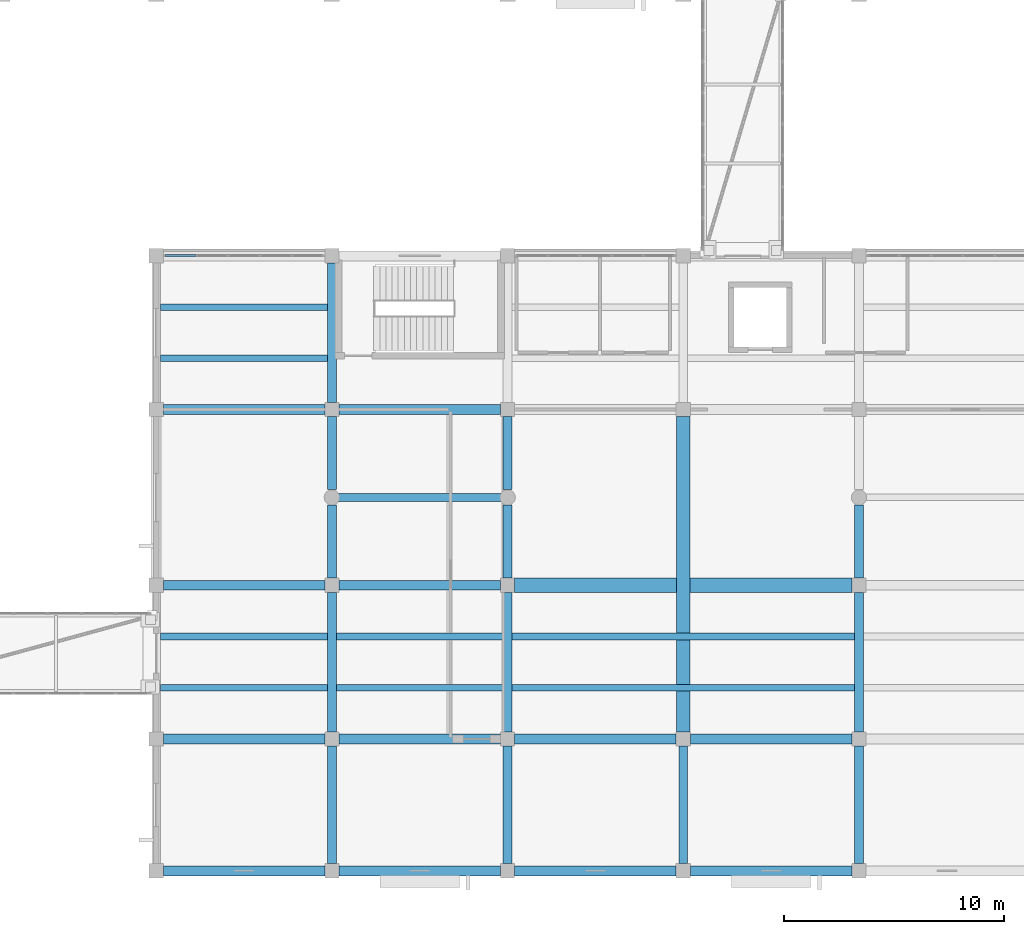
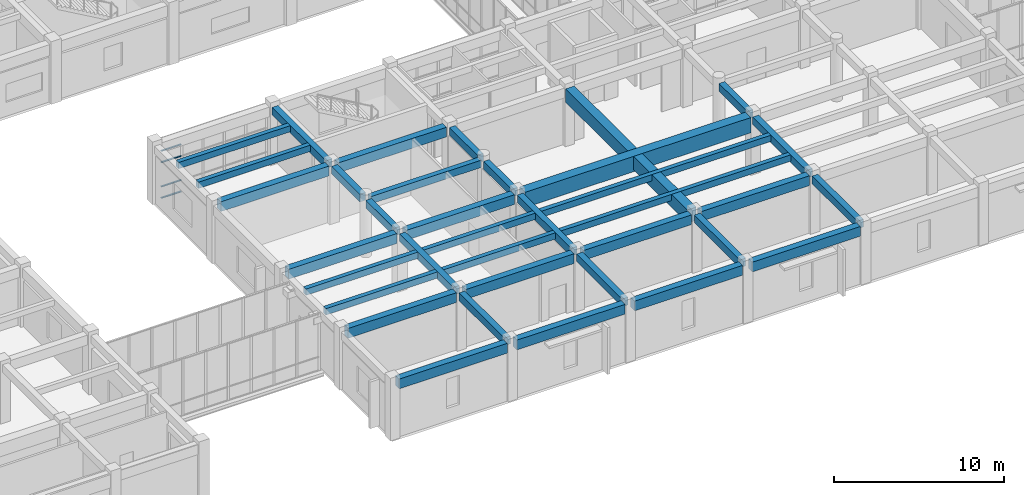
# One storey, part 16 of 70: 36 beams, 4 members, 1 element without a shape of its own.
"""IFC4 building model written with IfcOpenShell, lengths in metres."""

import ifcopenshell
import ifcopenshell.guid

model = None  # the IFC model being written
_history = None  # IfcOwnerHistory: only IFC2X3 demands one
_inside = {}  # id of a spatial element -> (the spatial element, [elements in it])
_under = {}  # id of a project, library or spatial element -> (it, [spatial elements below it])
_declared = {}  # id of a project -> (the project, [libraries it declares])
_typed = {}  # id of a type object -> (the type object, [elements of that type])
_made_of = {}  # id of a material, layer set ... -> (it, [elements and type objects made of it])


def new_model(schema):
    """Start an empty IFC model of exactly this schema.

    Asked for "IFC4X3", IfcOpenShell would pick the latest addendum, in which some entities
    have other attributes; the version numbers below select the first issue.
    IFC2X3 requires an IfcOwnerHistory on every rooted entity: one is made here for all.
    """
    global model, _history
    if schema == "IFC4X3":
        model = ifcopenshell.file(schema_version=(4, 3, 0, 0))
    else:
        model = ifcopenshell.file(schema=schema)
    _inside.clear()
    _under.clear()
    _declared.clear()
    _typed.clear()
    _made_of.clear()
    _history = None
    if model.schema == "IFC2X3":
        org = make("IfcOrganization", Name="unknown")
        user = make(
            "IfcPersonAndOrganization",
            ThePerson=make("IfcPerson", FamilyName="unknown"),
            TheOrganization=org,
        )
        app = make(
            "IfcApplication",
            ApplicationDeveloper=org,
            Version="unknown",
            ApplicationFullName="unknown",
            ApplicationIdentifier="unknown",
        )
        _history = make(
            "IfcOwnerHistory",
            OwningUser=user,
            OwningApplication=app,
            ChangeAction="ADDED",
            CreationDate=0,
        )
    return model


def make(cls, **values):
    """One entity of the class cls with the attributes given. An attribute that is None is left unset."""
    return model.create_entity(
        cls, **{name: value for name, value in values.items() if value is not None}
    )


def rooted(cls, **values):
    """An entity with a GlobalId (a new one), such as an element, a storey or a relation."""
    return make(cls, GlobalId=ifcopenshell.guid.new(), OwnerHistory=_history, **values)


def si_unit(unit_type, name, prefix=None):
    """IfcSIUnit, for example si_unit("LENGTHUNIT", "METRE", prefix="MILLI")."""
    return make("IfcSIUnit", UnitType=unit_type, Prefix=prefix, Name=name)


def assignment(units):
    """IfcUnitAssignment: the units of a project."""
    return None if units is None else make("IfcUnitAssignment", Units=units)


def point(xyz):
    """IfcCartesianPoint."""
    return None if xyz is None else make("IfcCartesianPoint", Coordinates=xyz)


def direction(xyz):
    """IfcDirection."""
    return None if xyz is None else make("IfcDirection", DirectionRatios=xyz)


def frame(location, z_axis=None, x_axis=None):
    """IfcAxis2Placement3D, a coordinate frame: its origin and axes. An axis left out is left unset."""
    return make(
        "IfcAxis2Placement3D",
        Location=point(location),
        Axis=direction(z_axis),
        RefDirection=direction(x_axis),
    )


def frame_2d(location, x_axis=None):
    """IfcAxis2Placement2D, a coordinate frame in the plane: its origin and x axis."""
    return make(
        "IfcAxis2Placement2D", Location=point(location), RefDirection=direction(x_axis)
    )


def origin():
    """The frame at (0, 0, 0) with its axes left unset."""
    return frame((0.0, 0.0, 0.0))


def origin_2d():
    """The frame at (0, 0) in the plane with its x axis left unset."""
    return frame_2d((0.0, 0.0))


def place(relative_to, where):
    """IfcLocalPlacement: puts the frame where relative to a parent placement (None: the world)."""
    return make(
        "IfcLocalPlacement", PlacementRelTo=relative_to, RelativePlacement=where
    )


def context(
    kind, dimensions, precision=None, world=None, true_north=None, identifier=None
):
    """IfcGeometricRepresentationContext, for example the 3D "Model" context."""
    return make(
        "IfcGeometricRepresentationContext",
        ContextIdentifier=identifier,
        ContextType=kind,
        CoordinateSpaceDimension=dimensions,
        Precision=precision,
        WorldCoordinateSystem=world,
        TrueNorth=true_north,
    )


def subcontext(parent, identifier, kind, view, scale=None):
    """IfcGeometricRepresentationSubContext, for example "Body" below "Model"."""
    return make(
        "IfcGeometricRepresentationSubContext",
        ContextIdentifier=identifier,
        ContextType=kind,
        ParentContext=parent,
        TargetScale=scale,
        TargetView=view,
    )


def project(units=None, contexts=None):
    """IfcProject with its units and contexts."""
    return rooted(
        "IfcProject",
        Name="project",
        RepresentationContexts=contexts,
        UnitsInContext=assignment(units),
    )


def spatial(cls, under=None, at=None, **own):
    """A site, building, storey or space (cls), placed at a placement, below another one or the project."""
    s = rooted(cls, ObjectPlacement=at, **own)
    if under is not None:
        _under.setdefault(under.id(), (under, []))[1].append(s)
    return s


def profile(cls, at=None, kind="AREA", **sizes):
    """A parametric profile (cls). Its sizes go by their IFC names, for example OverallWidth=200.0."""
    return make(cls, ProfileType=kind, Position=at, **sizes)


def rectangle(**sizes):
    """IfcRectangleProfileDef."""
    return profile("IfcRectangleProfileDef", **sizes)


def extrude(swept, where, along, depth):
    """IfcExtrudedAreaSolid: the profile swept, set in the frame where, extruded along a direction by depth."""
    return make(
        "IfcExtrudedAreaSolid",
        SweptArea=swept,
        Position=where,
        ExtrudedDirection=direction(along),
        Depth=depth,
    )


def shape(context_of_items, identifier, shape_type, items):
    """IfcShapeRepresentation: the items that make up one representation, for example the "Body"."""
    return make(
        "IfcShapeRepresentation",
        ContextOfItems=context_of_items,
        RepresentationIdentifier=identifier,
        RepresentationType=shape_type,
        Items=items,
    )


def material(Name=None, Category=None):
    """IfcMaterial."""
    return make("IfcMaterial", Name=Name, Category=Category)


def layer(
    of_material, thickness, ventilated=None, Name=None, Category=None, Priority=None
):
    """IfcMaterialLayer: one layer of a wall or slab, of a material (None: an air gap)."""
    return make(
        "IfcMaterialLayer",
        Material=of_material,
        LayerThickness=thickness,
        IsVentilated=ventilated,
        Name=Name,
        Category=Category,
        Priority=Priority,
    )


def layer_set(layers, Name=None):
    """IfcMaterialLayerSet."""
    return make("IfcMaterialLayerSet", MaterialLayers=layers, LayerSetName=Name)


def material_profile(
    of_material, cross_section, Name=None, Category=None, Priority=None
):
    """IfcMaterialProfile: a cross section and its material."""
    return make(
        "IfcMaterialProfile",
        Name=Name,
        Material=of_material,
        Profile=cross_section,
        Priority=Priority,
        Category=Category,
    )


def profile_set(profiles, Name=None, composite=None):
    """IfcMaterialProfileSet."""
    return make(
        "IfcMaterialProfileSet",
        Name=Name,
        MaterialProfiles=profiles,
        CompositeProfile=composite,
    )


def made_of(thing, what):
    """Note that an element or type object is made of a material, layer set ...; save() writes the relation."""
    if what is not None:
        _made_of.setdefault(what.id(), (what, []))[1].append(thing)
    return thing


def type_object(cls, material=None, **own):
    """A type object (cls), such as IfcWallType, which elements share."""
    return made_of(rooted(cls, **own), material)


def element(
    cls,
    number,
    at=None,
    inside=None,
    cuts=None,
    type_object=None,
    material=None,
    context=None,
    identifier="Body",
    shape_type=None,
    held_by="IfcProductDefinitionShape",
    body=None,
    shapes=None,
    **own,
):
    """One element of the class cls, such as IfcWall. Its Tag is "e" and its number.

    at: its placement. inside: the storey or other place that contains it. cuts: it is an
    opening in that element (IfcRelVoidsElement). A single representation is given by context,
    identifier, shape_type and body (its items); several are given by shapes. held_by: the class
    of the entity that holds the representations. save() writes the other relations.
    """
    e = rooted(cls, Tag="e%d" % number, ObjectPlacement=at, **own)
    if body is not None:
        shapes = [shape(context, identifier, shape_type, body)]
    if shapes is not None:
        e.Representation = make(held_by, Representations=shapes)
    if inside is not None:
        _inside.setdefault(inside.id(), (inside, []))[1].append(e)
    if cuts is not None:
        rooted(
            "IfcRelVoidsElement", RelatingBuildingElement=cuts, RelatedOpeningElement=e
        )
    if type_object is not None:
        _typed.setdefault(type_object.id(), (type_object, []))[1].append(e)
    return made_of(e, material)


def aggregate(whole, parts):
    """IfcRelAggregates: a whole, such as a stair, and the parts it consists of."""
    return rooted("IfcRelAggregates", RelatingObject=whole, RelatedObjects=parts)


def save(model, path):
    """Write the relations noted so far, then the file.

    IfcRelAggregates (storeys below a building ...), IfcRelContainedInSpatialStructure (elements
    in a storey), IfcRelDefinesByType, IfcRelAssociatesMaterial and IfcRelDeclares: one each for
    every whole, place, type object, material and project.
    """
    for whole, parts in _under.values():
        aggregate(whole, parts)
    for where, things in _inside.values():
        rooted(
            "IfcRelContainedInSpatialStructure",
            RelatedElements=things,
            RelatingStructure=where,
        )
    for kind, things in _typed.values():
        rooted("IfcRelDefinesByType", RelatedObjects=things, RelatingType=kind)
    for what, things in _made_of.values():
        rooted("IfcRelAssociatesMaterial", RelatedObjects=things, RelatingMaterial=what)
    for by, libraries in _declared.values():
        rooted("IfcRelDeclares", RelatingContext=by, RelatedDefinitions=libraries)
    model.write(path)


model = new_model("IFC4")

# Units and contexts
model_context = context("Model", 3, precision=1e-05, world=origin(), true_north=direction((0.0, 1.0)))
body_context = subcontext(model_context, "Body", "Model", "MODEL_VIEW")
ifc_project = project(units=[si_unit("LENGTHUNIT", "METRE"), si_unit("AREAUNIT", "SQUARE_METRE"), si_unit("VOLUMEUNIT", "CUBIC_METRE"), si_unit("PLANEANGLEUNIT", "RADIAN"), si_unit("MASSUNIT", "GRAM", prefix="KILO")], contexts=[model_context])

# Site, building, storey
site_placement = place(None, origin())
site = spatial("IfcSite", under=ifc_project, at=site_placement, CompositionType="ELEMENT")
building_placement = place(site_placement, origin())
building = spatial("IfcBuilding", under=site, at=building_placement, Name="Naurynzar Civic Courthouse", CompositionType="ELEMENT")
storey_placement = place(building_placement, frame((0.0, 0.0, 5.39990234375)))
storey = spatial("IfcBuildingStorey", under=building, at=storey_placement, Name="L02", CompositionType="ELEMENT", Elevation=5.39990234375)

# Beams
ifc_material_1 = material(Name="Concrete C40/50", Category="concrete")
ifc_material_profile_1 = material_profile(ifc_material_1, rectangle(XDim=0.300048828125, YDim=0.449951171875, at=origin_2d()), Name="RCJ 300x450")
ifc_profile_set_1 = profile_set([ifc_material_profile_1], Name="Concrete C40/50")
beam_type_1 = type_object("IfcBeamType", Name="BM-JST-300x450", PredefinedType="JOIST", material=ifc_profile_set_1)
for number, where, z_axis, x_axis, name in (
    (1, (69.199951171875, 12.333251953125, 3.93505859375), (1.0, 0.0, 0.0), (0.0, 1.0, 0.0), "V3 secondary rib 1400 L02"),
    (2, (69.199951171875, 14.666748046875, 3.93505859375), (1.0, 0.0, 0.0), (0.0, 1.0, 0.0), "V3 secondary rib 1401 L02"),
    (3, (77.199951171875, 12.333251953125, 3.93505859375), (1.0, 0.0, 0.0), (0.0, 1.0, 0.0), "V3 secondary rib 1402 L02"),
    (4, (77.199951171875, 14.666748046875, 3.93505859375), (1.0, 0.0, 0.0), (0.0, 1.0, 0.0), "V3 secondary rib 1403 L02"),
):
    element("IfcBeam", number, at=place(storey_placement, frame(where, z_axis=z_axis, x_axis=x_axis)), inside=storey, type_object=beam_type_1, Name=name, PredefinedType="JOIST", context=body_context, shape_type="SweptSolid", body=[
        extrude(rectangle(XDim=0.300048828125, YDim=0.449951171875, at=origin_2d()), origin(), (0.0, 0.0, 1.0), 7.60009765625),
    ])
for number, where, z_axis, x_axis, name in (
    (5, (85.199951171875, 12.333251953125, 3.93505859375), (1.0, 0.0, 0.0), (0.0, 1.0, 0.0), "V3 secondary rib 1404 L02"),
    (6, (85.199951171875, 14.666748046875, 3.93505859375), (1.0, 0.0, 0.0), (0.0, 1.0, 0.0), "V3 secondary rib 1405 L02"),
):
    element("IfcBeam", number, at=place(storey_placement, frame(where, z_axis=z_axis, x_axis=x_axis)), inside=storey, type_object=beam_type_1, Name=name, PredefinedType="JOIST", context=body_context, shape_type="SweptSolid", body=[
        extrude(rectangle(XDim=0.300048828125, YDim=0.449951171875, at=origin_2d()), origin(), (0.0, 0.0, 1.0), 15.60009765625),
    ])
for number, where, z_axis, x_axis, name in (
    (7, (69.199951171875, 27.333251953125, 3.93505859375), (1.0, 0.0, 0.0), (0.0, 1.0, 0.0), "V3 secondary rib 1410 L02"),
    (8, (69.199951171875, 29.666748046875, 3.93505859375), (1.0, 0.0, 0.0), (0.0, 1.0, 0.0), "V3 secondary rib 1411 L02"),
):
    element("IfcBeam", number, at=place(storey_placement, frame(where, z_axis=z_axis, x_axis=x_axis)), inside=storey, type_object=beam_type_1, Name=name, PredefinedType="JOIST", context=body_context, shape_type="SweptSolid", body=[
        extrude(rectangle(XDim=0.300048828125, YDim=0.449951171875, at=origin_2d()), origin(), (0.0, 0.0, 1.0), 7.60009765625),
    ])
ifc_material_2 = material(Name="Concrete C40/50", Category="concrete")
ifc_material_profile_2 = material_profile(ifc_material_2, rectangle(XDim=0.35009765625, YDim=0.52490234375, at=origin_2d()), Name="RCB 350x525")
ifc_profile_set_2 = profile_set([ifc_material_profile_2], Name="Concrete C40/50")
beam_type_2 = type_object("IfcBeamType", Name="BM-LNT-350x525", PredefinedType="LINTEL", material=ifc_profile_set_2)
beam_1_placement = place(storey_placement, frame((77.25, 21.0, 3.897705078125), z_axis=(1.0, 0.0, 0.0), x_axis=(0.0, 1.0, 0.0)))
element("IfcBeam", 9, at=beam_1_placement, inside=storey, type_object=beam_type_2, Name="Law Library spine lintel beam 5", PredefinedType="LINTEL", context=body_context, shape_type="SweptSolid", body=[
    extrude(rectangle(XDim=0.35009765625, YDim=0.52490234375, at=origin_2d()), origin(), (0.0, 0.0, 1.0), 7.5),
])
ifc_material_3 = material(Name="Concrete C40/50", Category="concrete")
ifc_material_profile_3 = material_profile(ifc_material_3, rectangle(XDim=0.60009765625, YDim=0.949951171875, at=origin_2d()), Name="PTB 600x950")
ifc_profile_set_3 = profile_set([ifc_material_profile_3], Name="Concrete C40/50")
beam_type_3 = type_object("IfcBeamType", Name="BM-PT-600x950", PredefinedType="T_BEAM", material=ifc_profile_set_3)
beam_2_placement = place(storey_placement, frame((93.0, 10.324951171875, 3.68505859375), z_axis=(0.0, 1.0, 0.0), x_axis=(-1.0, 0.0, 0.0)))
element("IfcBeam", 10, at=beam_2_placement, inside=storey, type_object=beam_type_3, Name="V3 girder Y-1384 L02", PredefinedType="T_BEAM", context=body_context, shape_type="SweptSolid", body=[
    extrude(rectangle(XDim=0.60009765625, YDim=0.949951171875, at=origin_2d()), origin(), (0.0, 0.0, 1.0), 14.35009765625),
])
ifc_material_4 = material(Name="Concrete C40/50", Category="concrete")
ifc_material_profile_4 = material_profile(ifc_material_4, rectangle(XDim=0.64990234375, YDim=1.10009765625, at=origin_2d()), Name="PTB 650x1100")
ifc_profile_set_4 = profile_set([ifc_material_profile_4], Name="Concrete C40/50")
beam_type_4 = type_object("IfcBeamType", Name="BM-PT-650x1100", PredefinedType="T_BEAM", material=ifc_profile_set_4)
beam_3_placement = place(storey_placement, frame((85.324951171875, 17.0, 3.610107421875), z_axis=(1.0, 0.0, 0.0), x_axis=(0.0, 1.0, 0.0)))
element("IfcBeam", 11, at=beam_3_placement, inside=storey, type_object=beam_type_4, Name="V3 beam X-1354 L02", PredefinedType="T_BEAM", context=body_context, shape_type="SweptSolid", body=[
    extrude(rectangle(XDim=0.64990234375, YDim=1.10009765625, at=origin_2d()), origin(), (0.0, 0.0, 1.0), 15.35009765625),
])
ifc_material_5 = material(Name="Concrete C40/50", Category="concrete")
ifc_material_profile_5 = material_profile(ifc_material_5, rectangle(XDim=0.39990234375, YDim=0.550048828125, at=origin_2d()), Name="RCB 400x550")
ifc_profile_set_5 = profile_set([ifc_material_profile_5], Name="Concrete C40/50")
beam_type_5 = type_object("IfcBeamType", Name="BM-RC-400x550", PredefinedType="BEAM", material=ifc_profile_set_5)
beam_4_placement = place(storey_placement, frame((77.0, 4.324951171875, 3.885009765625), z_axis=(0.0, 1.0, 0.0), x_axis=(-1.0, 0.0, 0.0)))
element("IfcBeam", 12, at=beam_4_placement, inside=storey, type_object=beam_type_5, Name="V3 girder Y-1373 L02", PredefinedType="BEAM", context=body_context, shape_type="SweptSolid", body=[
    extrude(rectangle(XDim=0.39990234375, YDim=0.550048828125, at=origin_2d()), origin(), (0.0, 0.0, 1.0), 5.35009765625),
])
beam_5_placement = place(storey_placement, frame((77.0, 10.324951171875, 3.885009765625), z_axis=(0.0, 1.0, 0.0), x_axis=(-1.0, 0.0, 0.0)))
element("IfcBeam", 13, at=beam_5_placement, inside=storey, type_object=beam_type_5, Name="V3 girder Y-1374 L02", PredefinedType="BEAM", context=body_context, shape_type="SweptSolid", body=[
    extrude(rectangle(XDim=0.39990234375, YDim=0.550048828125, at=origin_2d()), origin(), (0.0, 0.0, 1.0), 6.35009765625),
])
for number, where, z_axis, x_axis, name in (
    (14, (77.0, 17.324951171875, 3.885009765625), (0.0, 1.0, 0.0), (-1.0, 0.0, 0.0), "V3 girder Y-1375 L02"),
    (15, (77.0, 21.35009765625, 3.885009765625), (0.0, 1.0, 0.0), (-1.0, 0.0, 0.0), "V3 girder Y-1376 L02"),
):
    element("IfcBeam", number, at=place(storey_placement, frame(where, z_axis=z_axis, x_axis=x_axis)), inside=storey, type_object=beam_type_5, Name=name, PredefinedType="BEAM", context=body_context, shape_type="SweptSolid", body=[
        extrude(rectangle(XDim=0.39990234375, YDim=0.550048828125, at=origin_2d()), origin(), (0.0, 0.0, 1.0), 3.324951171875),
    ])
beam_6_placement = place(storey_placement, frame((77.0, 25.324951171875, 3.885009765625), z_axis=(0.0, 1.0, 0.0), x_axis=(-1.0, 0.0, 0.0)))
element("IfcBeam", 16, at=beam_6_placement, inside=storey, type_object=beam_type_5, Name="V3 girder Y-1377 L02", PredefinedType="BEAM", context=body_context, shape_type="SweptSolid", body=[
    extrude(rectangle(XDim=0.39990234375, YDim=0.550048828125, at=origin_2d()), origin(), (0.0, 0.0, 1.0), 6.35009765625),
])
beam_7_placement = place(storey_placement, frame((85.0, 4.324951171875, 3.885009765625), z_axis=(0.0, 1.0, 0.0), x_axis=(-1.0, 0.0, 0.0)))
element("IfcBeam", 17, at=beam_7_placement, inside=storey, type_object=beam_type_5, Name="V3 girder Y-1378 L02", PredefinedType="BEAM", context=body_context, shape_type="SweptSolid", body=[
    extrude(rectangle(XDim=0.39990234375, YDim=0.550048828125, at=origin_2d()), origin(), (0.0, 0.0, 1.0), 5.35009765625),
])
beam_8_placement = place(storey_placement, frame((85.0, 10.324951171875, 3.885009765625), z_axis=(0.0, 1.0, 0.0), x_axis=(-1.0, 0.0, 0.0)))
element("IfcBeam", 18, at=beam_8_placement, inside=storey, type_object=beam_type_5, Name="V3 girder Y-1379 L02", PredefinedType="BEAM", context=body_context, shape_type="SweptSolid", body=[
    extrude(rectangle(XDim=0.39990234375, YDim=0.550048828125, at=origin_2d()), origin(), (0.0, 0.0, 1.0), 6.35009765625),
])
for number, where, z_axis, x_axis, name in (
    (19, (85.0, 17.324951171875, 3.885009765625), (0.0, 1.0, 0.0), (-1.0, 0.0, 0.0), "V3 girder Y-1380 L02"),
    (20, (85.0, 21.35009765625, 3.885009765625), (0.0, 1.0, 0.0), (-1.0, 0.0, 0.0), "V3 girder Y-1381 L02"),
):
    element("IfcBeam", number, at=place(storey_placement, frame(where, z_axis=z_axis, x_axis=x_axis)), inside=storey, type_object=beam_type_5, Name=name, PredefinedType="BEAM", context=body_context, shape_type="SweptSolid", body=[
        extrude(rectangle(XDim=0.39990234375, YDim=0.550048828125, at=origin_2d()), origin(), (0.0, 0.0, 1.0), 3.324951171875),
    ])
for number, where, z_axis, x_axis, name in (
    (21, (93.0, 4.324951171875, 3.885009765625), (0.0, 1.0, 0.0), (-1.0, 0.0, 0.0), "V3 girder Y-1383 L02"),
    (22, (101.0, 4.324951171875, 3.885009765625), (0.0, 1.0, 0.0), (-1.0, 0.0, 0.0), "V3 girder Y-1386 L02"),
):
    element("IfcBeam", number, at=place(storey_placement, frame(where, z_axis=z_axis, x_axis=x_axis)), inside=storey, type_object=beam_type_5, Name=name, PredefinedType="BEAM", context=body_context, shape_type="SweptSolid", body=[
        extrude(rectangle(XDim=0.39990234375, YDim=0.550048828125, at=origin_2d()), origin(), (0.0, 0.0, 1.0), 5.35009765625),
    ])
beam_9_placement = place(storey_placement, frame((101.0, 10.324951171875, 3.885009765625), z_axis=(0.0, 1.0, 0.0), x_axis=(-1.0, 0.0, 0.0)))
element("IfcBeam", 23, at=beam_9_placement, inside=storey, type_object=beam_type_5, Name="V3 girder Y-1387 L02", PredefinedType="BEAM", context=body_context, shape_type="SweptSolid", body=[
    extrude(rectangle(XDim=0.39990234375, YDim=0.550048828125, at=origin_2d()), origin(), (0.0, 0.0, 1.0), 6.35009765625),
])
beam_10_placement = place(storey_placement, frame((101.0, 17.324951171875, 3.885009765625), z_axis=(0.0, 1.0, 0.0), x_axis=(-1.0, 0.0, 0.0)))
element("IfcBeam", 24, at=beam_10_placement, inside=storey, type_object=beam_type_5, Name="V3 girder Y-1388 L02", PredefinedType="BEAM", context=body_context, shape_type="SweptSolid", body=[
    extrude(rectangle(XDim=0.39990234375, YDim=0.550048828125, at=origin_2d()), origin(), (0.0, 0.0, 1.0), 3.324951171875),
])
ifc_material_6 = material(Name="Concrete C40/50", Category="concrete")
ifc_material_profile_6 = material_profile(ifc_material_6, rectangle(XDim=0.449951171875, YDim=0.699951171875, at=origin_2d()), Name="RCB 450x700")
ifc_profile_set_6 = profile_set([ifc_material_profile_6], Name="Concrete C40/50")
beam_type_6 = type_object("IfcBeamType", Name="BM-RC-450x700", PredefinedType="BEAM", material=ifc_profile_set_6)
for number, where, z_axis, x_axis, name in (
    (25, (69.324951171875, 4.0, 3.81005859375), (1.0, 0.0, 0.0), (0.0, 1.0, 0.0), "V3 beam X-1340 L02"),
    (26, (77.324951171875, 4.0, 3.81005859375), (1.0, 0.0, 0.0), (0.0, 1.0, 0.0), "V3 beam X-1341 L02"),
    (27, (85.324951171875, 4.0, 3.81005859375), (1.0, 0.0, 0.0), (0.0, 1.0, 0.0), "V3 beam X-1342 L02"),
    (28, (93.324951171875, 4.0, 3.81005859375), (1.0, 0.0, 0.0), (0.0, 1.0, 0.0), "V3 beam X-1343 L02"),
    (29, (69.324951171875, 10.0, 3.81005859375), (1.0, 0.0, 0.0), (0.0, 1.0, 0.0), "V3 beam X-1346 L02"),
    (30, (77.324951171875, 10.0, 3.81005859375), (1.0, 0.0, 0.0), (0.0, 1.0, 0.0), "V3 beam X-1347 L02"),
    (31, (85.324951171875, 10.0, 3.81005859375), (1.0, 0.0, 0.0), (0.0, 1.0, 0.0), "V3 beam X-1348 L02"),
    (32, (93.324951171875, 10.0, 3.81005859375), (1.0, 0.0, 0.0), (0.0, 1.0, 0.0), "V3 beam X-1349 L02"),
    (33, (69.324951171875, 17.0, 3.81005859375), (1.0, 0.0, 0.0), (0.0, 1.0, 0.0), "V3 beam X-1352 L02"),
    (34, (77.324951171875, 17.0, 3.81005859375), (1.0, 0.0, 0.0), (0.0, 1.0, 0.0), "V3 beam X-1353 L02"),
    (35, (69.324951171875, 25.0, 3.81005859375), (1.0, 0.0, 0.0), (0.0, 1.0, 0.0), "V3 beam X-1357 L02"),
    (36, (77.324951171875, 25.0, 3.81005859375), (1.0, 0.0, 0.0), (0.0, 1.0, 0.0), "V3 beam X-1358 L02"),
):
    element("IfcBeam", number, at=place(storey_placement, frame(where, z_axis=z_axis, x_axis=x_axis)), inside=storey, type_object=beam_type_6, Name=name, PredefinedType="BEAM", context=body_context, shape_type="SweptSolid", body=[
        extrude(rectangle(XDim=0.449951171875, YDim=0.699951171875, at=origin_2d()), origin(), (0.0, 0.0, 1.0), 7.35009765625),
    ])

# Curtain wall, members
ifc_material_7 = material(Name="Aluminium 6063-T6", Category="aluminium")
ifc_layer = layer(ifc_material_7, 0.179931640625)
ifc_layer_set = layer_set([ifc_layer], Name="CW-UNIT-1500")
curtain_wall_type = type_object("IfcCurtainWallType", Name="CW-UNIT-1500", PredefinedType="NOTDEFINED", material=ifc_layer_set)
curtain_wall_placement = place(storey_placement, origin())
curtain_wall = element("IfcCurtainWall", 37, at=curtain_wall_placement, inside=storey, type_object=curtain_wall_type, Name="V3 unitised curtain wall 64 L02", PredefinedType="NOTDEFINED")
ifc_material_8 = material(Name="Aluminium 6063-T6", Category="aluminium")
ifc_material_profile_7 = material_profile(ifc_material_8, rectangle(XDim=0.110107421875, YDim=0.06005859375, at=origin_2d()), Name="ALU TRANSOM 60x110")
ifc_profile_set_7 = profile_set([ifc_material_profile_7], Name="Aluminium 6063-T6")
member_type = type_object("IfcMemberType", Name="CWT-60x110", PredefinedType="USERDEFINED", material=ifc_profile_set_7)
member_1_placement = place(storey_placement, frame((69.43505859375, 32.0, 0.030029296875), z_axis=(1.0, 0.0, 0.0), x_axis=(0.0, 1.0, 0.0)))
member_1 = element("IfcMember", 38, at=member_1_placement, type_object=member_type, Name="CW-01 transom 1.1", ObjectType="TRANSOM", PredefinedType="USERDEFINED", context=body_context, shape_type="SweptSolid", body=[
    extrude(rectangle(XDim=0.110107421875, YDim=0.06005859375, at=origin_2d()), origin(), (0.0, 0.0, 1.0), 1.35986328125),
])
member_2_placement = place(storey_placement, frame((69.43505859375, 32.0, 0.85009765625), z_axis=(1.0, 0.0, 0.0), x_axis=(0.0, 1.0, 0.0)))
member_2 = element("IfcMember", 39, at=member_2_placement, type_object=member_type, Name="CW-01 transom 1.2", ObjectType="TRANSOM", PredefinedType="USERDEFINED", context=body_context, shape_type="SweptSolid", body=[
    extrude(rectangle(XDim=0.110107421875, YDim=0.06005859375, at=origin_2d()), origin(), (0.0, 0.0, 1.0), 1.35986328125),
])
member_3_placement = place(storey_placement, frame((69.43505859375, 32.0, 2.590087890625), z_axis=(1.0, 0.0, 0.0), x_axis=(0.0, 1.0, 0.0)))
member_3 = element("IfcMember", 40, at=member_3_placement, type_object=member_type, Name="CW-01 transom 1.3", ObjectType="TRANSOM", PredefinedType="USERDEFINED", context=body_context, shape_type="SweptSolid", body=[
    extrude(rectangle(XDim=0.110107421875, YDim=0.06005859375, at=origin_2d()), origin(), (0.0, 0.0, 1.0), 1.35986328125),
])
member_4_placement = place(storey_placement, frame((69.43505859375, 32.0, 3.41015625), z_axis=(1.0, 0.0, 0.0), x_axis=(0.0, 1.0, 0.0)))
member_4 = element("IfcMember", 41, at=member_4_placement, type_object=member_type, Name="CW-01 transom 1.4", ObjectType="TRANSOM", PredefinedType="USERDEFINED", context=body_context, shape_type="SweptSolid", body=[
    extrude(rectangle(XDim=0.110107421875, YDim=0.06005859375, at=origin_2d()), origin(), (0.0, 0.0, 1.0), 1.35986328125),
])
aggregate(curtain_wall, [member_1, member_2, member_3, member_4])

save(model, "model.ifc")
